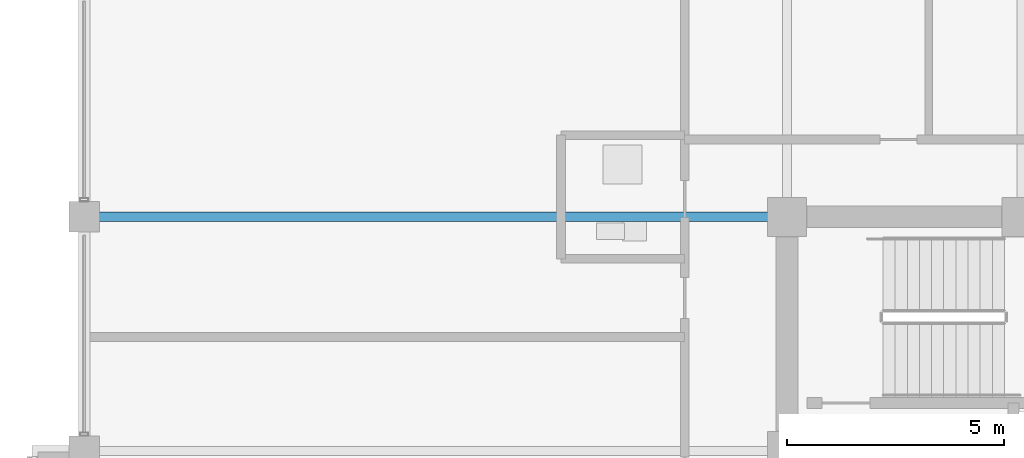
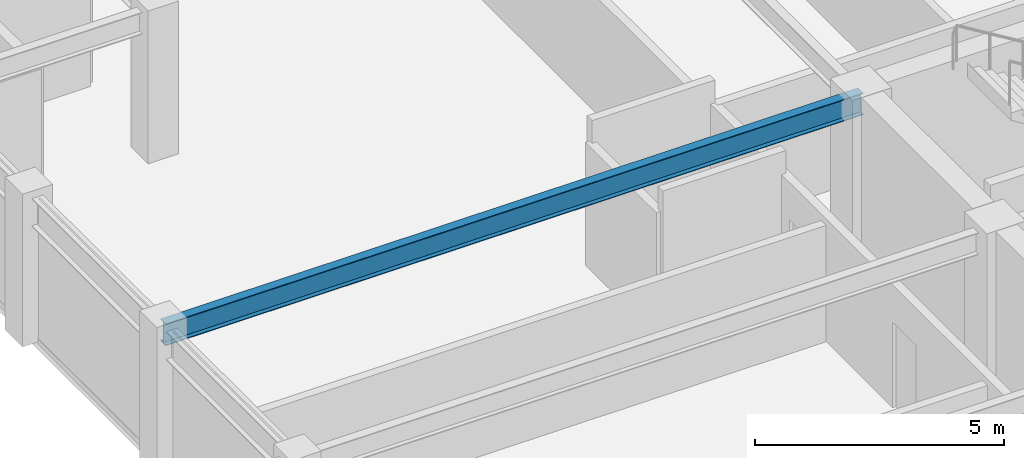
# One storey, part 14 of 30: 1 beam.
"""IFC4 building model written with IfcOpenShell, lengths in metres."""

from ifc_helpers import new_model, si_unit, direction, frame, origin, origin_2d, place, context, subcontext, project, spatial, i_section, extrude, material, material_profile, profile_set, type_object, element, save


model = new_model("IFC4")

# Units and contexts
model_context = context("Model", 3, precision=1e-05, world=origin(), true_north=direction((0.0, 1.0)))
body_context = subcontext(model_context, "Body", "Model", "MODEL_VIEW")
ifc_project = project(units=[si_unit("LENGTHUNIT", "METRE"), si_unit("AREAUNIT", "SQUARE_METRE"), si_unit("VOLUMEUNIT", "CUBIC_METRE"), si_unit("PLANEANGLEUNIT", "RADIAN"), si_unit("MASSUNIT", "GRAM", prefix="KILO")], contexts=[model_context])

# Site, building, storey
site_placement = place(None, origin())
site = spatial("IfcSite", under=ifc_project, at=site_placement, CompositionType="ELEMENT")
building_placement = place(site_placement, origin())
building = spatial("IfcBuilding", under=site, at=building_placement, Name="Surkhivell Harbour Commons", CompositionType="ELEMENT")
storey_placement = place(building_placement, frame((0.0, 0.0, 303.75)))
storey = spatial("IfcBuildingStorey", under=building, at=storey_placement, Name="L79", CompositionType="ELEMENT", Elevation=303.75)

# Beam
ifc_material = material(Name="Steel S355", Category="steel")
ifc_material_profile = material_profile(ifc_material, i_section(OverallWidth=0.2099609375, OverallDepth=0.537109375, WebThickness=0.0107421875, FlangeThickness=0.017333984375, at=origin_2d()), Name="UB533x210x101")
ifc_profile_set = profile_set([ifc_material_profile], Name="Steel S355")
beam_type = type_object("IfcBeamType", Name="BM-GRD-533B", PredefinedType="BEAM", material=ifc_profile_set)
beam_placement = place(storey_placement, frame((-27.0, 10.800048828125, 3.301513671875), z_axis=(1.0, 0.0, 0.0), x_axis=(0.0, 1.0, 0.0)))
element("IfcBeam", 1, at=beam_placement, inside=storey, type_object=beam_type, Name="L79 Floor Girder (-27.0,10.8)", PredefinedType="BEAM", context=body_context, shape_type="SweptSolid", body=[
    extrude(i_section(OverallWidth=0.2099609375, OverallDepth=0.537109375, WebThickness=0.0107421875, FlangeThickness=0.017333984375, at=origin_2d()), origin(), (0.0, 0.0, 1.0), 16.199951171875),
])

save(model, "model.ifc")
